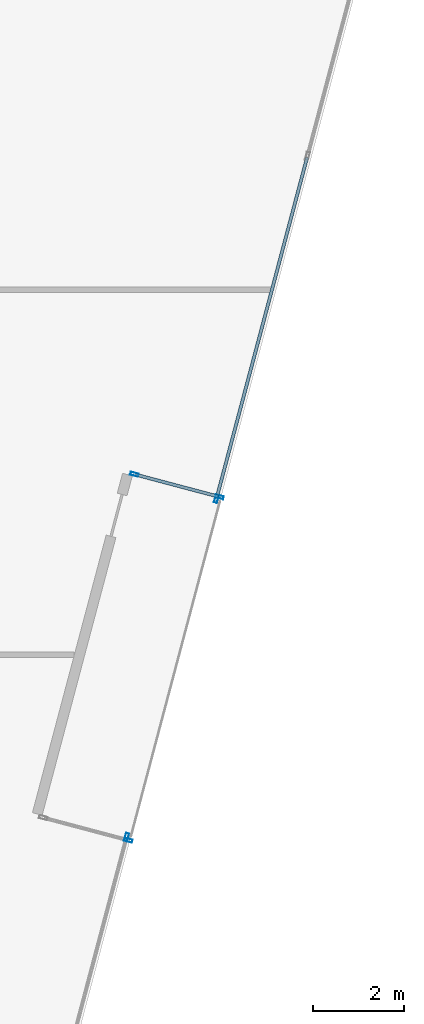
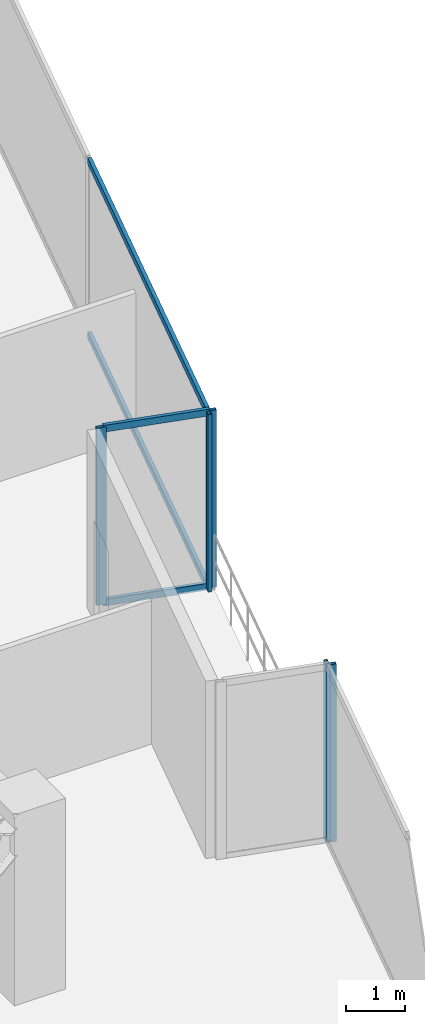
# One storey, part 13 of 27: 9 members, 4 elements without a shape of their own.
"""IFC4 building model written with IfcOpenShell, lengths in metres."""

from ifc_helpers import new_model, si_unit, direction, frame, origin, origin_2d, place, context, subcontext, project, spatial, hollow_rectangle, extrude, source, transform, mapped, material, material_profile, profile_set, type_object, type_shapes, element, aggregate, save


model = new_model("IFC4")

# Units and contexts
model_context = context("Model", 3, precision=1e-05, world=origin(), true_north=direction((0.0, 1.0)))
body_context = subcontext(model_context, "Body", "Model", "MODEL_VIEW")
ifc_project = project(units=[si_unit("LENGTHUNIT", "METRE"), si_unit("AREAUNIT", "SQUARE_METRE"), si_unit("VOLUMEUNIT", "CUBIC_METRE"), si_unit("PLANEANGLEUNIT", "RADIAN"), si_unit("MASSUNIT", "GRAM", prefix="KILO")], contexts=[model_context])

# Site, building, storey
site_placement = place(None, origin())
site = spatial("IfcSite", under=ifc_project, at=site_placement, CompositionType="ELEMENT")
building_placement = place(site_placement, origin())
building = spatial("IfcBuilding", under=site, at=building_placement, Name="Krantzveldt Concourse Tower", CompositionType="ELEMENT")
storey_placement = place(building_placement, frame((0.0, 0.0, 105.85009765625)))
storey = spatial("IfcBuildingStorey", under=building, at=storey_placement, Name="L25", CompositionType="ELEMENT", Elevation=105.85009765625)

# Curtain wall, member
ifc_material = material(Name="Anodised aluminium 6063-T6", Category="aluminium")
curtain_wall_type_1 = type_object("IfcCurtainWallType", Name="CW2", PredefinedType="USERDEFINED", material=ifc_material)
curtain_wall_1_placement = place(storey_placement, origin())
curtain_wall_1 = element("IfcCurtainWall", 1, at=curtain_wall_1_placement, inside=storey, type_object=curtain_wall_type_1, Name="CW-L25-F07", ObjectType="UNITISED CURTAIN WALL", PredefinedType="USERDEFINED")
ifc_material_profile_1 = material_profile(ifc_material, hollow_rectangle(XDim=0.070068359375, YDim=0.179931640625, WallThickness=0.0048828125, at=origin_2d()), Name="Anodised aluminium 6063-T6", Category="aluminium")
ifc_profile_set_1 = profile_set([ifc_material_profile_1], Name="Anodised aluminium 6063-T6 - ALU-MULL 180x70x5")
member_type_1 = type_object("IfcMemberType", Name="CW-MUL-180", PredefinedType="MULLION", material=ifc_profile_set_1)
shared_shape_1 = source(origin(), body_context, "Body", "SweptSolid", [
    extrude(hollow_rectangle(XDim=0.070068359375, YDim=0.179931640625, WallThickness=0.0048828125, at=origin_2d()), origin(), (0.0, 0.0, 1.0), 3.669921875),
])
type_shapes(member_type_1, [shared_shape_1])
member_1_placement = place(storey_placement, frame((57.54443359375, 17.009521484375, 0.0), z_axis=(0.0, 0.0, 1.0), x_axis=(-0.966488210944, 0.256711001141, 0.0)))
member_1 = element("IfcMember", 2, at=member_1_placement, type_object=member_type_1, Name="CW-Z12 mullion 3", PredefinedType="MULLION", context=body_context, shape_type="MappedRepresentation", body=[
    mapped(shared_shape_1, transform((0.0, 0.0, 0.0), x_axis=(1.0, 0.0, 0.0), y_axis=(0.0, 1.0, 0.0), z_axis=(0.0, 0.0, 1.0), scale=1.0)),
])
aggregate(curtain_wall_1, [member_1])

curtain_wall_type_2 = type_object("IfcCurtainWallType", Name="CW6", PredefinedType="USERDEFINED", material=ifc_material)
curtain_wall_2_placement = place(storey_placement, origin())
curtain_wall_2 = element("IfcCurtainWall", 3, at=curtain_wall_2_placement, inside=storey, type_object=curtain_wall_type_2, Name="CW-L25-TR08", ObjectType="UNITISED CURTAIN WALL", PredefinedType="USERDEFINED")
member_2_placement = place(storey_placement, frame((57.58349609375, 16.9423828125, 0.0), z_axis=(0.0, 0.0, 1.0), x_axis=(-0.256714292587, -0.96648733669, 0.0)))
member_2 = element("IfcMember", 4, at=member_2_placement, type_object=member_type_1, Name="CW-TERR mullion 1", PredefinedType="MULLION", context=body_context, shape_type="MappedRepresentation", body=[
    mapped(shared_shape_1, transform((0.0, 0.0, 0.0), x_axis=(1.0, 0.0, 0.0), y_axis=(0.0, 1.0, 0.0), z_axis=(0.0, 0.0, 1.0), scale=1.0)),
])
aggregate(curtain_wall_2, [member_2])

# Curtain wall, members
curtain_wall_3_placement = place(storey_placement, origin())
curtain_wall_3 = element("IfcCurtainWall", 5, at=curtain_wall_3_placement, inside=storey, type_object=curtain_wall_type_2, Name="CW-L25-TR10", ObjectType="UNITISED CURTAIN WALL", PredefinedType="USERDEFINED")
member_3_placement = place(storey_placement, frame((57.71533203125, 24.95703125, 0.0), z_axis=(0.0, 0.0, 1.0), x_axis=(0.256709622099, 0.966488577233, 0.0)))
member_3 = element("IfcMember", 6, at=member_3_placement, type_object=member_type_1, Name="CW-TERR mullion 1", PredefinedType="MULLION", context=body_context, shape_type="MappedRepresentation", body=[
    mapped(shared_shape_1, transform((0.0, 0.0, 0.0), x_axis=(1.0, 0.0, 0.0), y_axis=(0.0, 1.0, 0.0), z_axis=(0.0, 0.0, 1.0), scale=1.0)),
])
member_4_placement = place(storey_placement, frame((59.58056640625, 24.461669921875, 0.0), z_axis=(0.0, 0.0, 1.0), x_axis=(0.256709622099, 0.966488577233, 0.0)))
member_4 = element("IfcMember", 7, at=member_4_placement, type_object=member_type_1, Name="CW-TERR mullion 2", PredefinedType="MULLION", context=body_context, shape_type="MappedRepresentation", body=[
    mapped(shared_shape_1, transform((0.0, 0.0, 0.0), x_axis=(1.0, 0.0, 0.0), y_axis=(0.0, 1.0, 0.0), z_axis=(0.0, 0.0, 1.0), scale=1.0)),
])

# Curtain wall, member
curtain_wall_4_placement = place(storey_placement, origin())
curtain_wall_4 = element("IfcCurtainWall", 8, at=curtain_wall_4_placement, inside=storey, type_object=curtain_wall_type_1, Name="CW-L25-F11", ObjectType="UNITISED CURTAIN WALL", PredefinedType="USERDEFINED")
member_5_placement = place(storey_placement, frame((59.513427734375, 24.422607421875, 0.0), z_axis=(0.0, 0.0, 1.0), x_axis=(-0.966488210944, 0.256711001141, 0.0)))
member_5 = element("IfcMember", 9, at=member_5_placement, type_object=member_type_1, Name="CW-Z12 mullion 1", PredefinedType="MULLION", context=body_context, shape_type="MappedRepresentation", body=[
    mapped(shared_shape_1, transform((0.0, 0.0, 0.0), x_axis=(1.0, 0.0, 0.0), y_axis=(0.0, 1.0, 0.0), z_axis=(0.0, 0.0, 1.0), scale=1.0)),
])

# Member
ifc_material_profile_2 = material_profile(ifc_material, hollow_rectangle(XDim=0.070068359375, YDim=0.139892578125, WallThickness=0.0048828125, at=origin_2d()), Name="Anodised aluminium 6063-T6", Category="aluminium")
ifc_profile_set_2 = profile_set([ifc_material_profile_2], Name="Anodised aluminium 6063-T6 - ALU-TRAN 140x70x5")
member_type_2 = type_object("IfcMemberType", Name="CW-TRN-150", PredefinedType="USERDEFINED", material=ifc_profile_set_2)
shared_shape_2 = source(origin(), body_context, "Body", "SweptSolid", [
    extrude(hollow_rectangle(XDim=0.070068359375, YDim=0.139892578125, WallThickness=0.0048828125, at=origin_2d()), origin(), (0.0, 0.0, 1.0), 1.860107421875),
])
member_6_placement = place(storey_placement, frame((57.7490234375, 24.947998046875, 0.034912109375), z_axis=(0.966487162164, -0.256714949646, 0.0), x_axis=(0.256714949646, 0.966487162164, 0.0)))
member_6 = element("IfcMember", 10, at=member_6_placement, type_object=member_type_2, Name="CW-TERR transom 1.1", ObjectType="TRANSOM", PredefinedType="USERDEFINED", context=body_context, shape_type="MappedRepresentation", body=[
    mapped(shared_shape_2, transform((0.0, 0.0, 0.0), x_axis=(1.0, 0.0, 0.0), y_axis=(0.0, 1.0, 0.0), z_axis=(0.0, 0.0, 1.0), scale=1.0)),
])

member_7_placement = place(storey_placement, frame((57.7490234375, 24.947998046875, 3.635009765625), z_axis=(0.966487162164, -0.256714949646, 0.0), x_axis=(0.256714949646, 0.966487162164, 0.0)))
member_7 = element("IfcMember", 11, at=member_7_placement, type_object=member_type_2, Name="CW-TERR transom 1.2", ObjectType="TRANSOM", PredefinedType="USERDEFINED", context=body_context, shape_type="MappedRepresentation", body=[
    mapped(shared_shape_2, transform((0.0, 0.0, 0.0), x_axis=(1.0, 0.0, 0.0), y_axis=(0.0, 1.0, 0.0), z_axis=(0.0, 0.0, 1.0), scale=1.0)),
])

aggregate(curtain_wall_3, [member_3, member_4, member_6, member_7])

shared_shape_3 = source(origin(), body_context, "Body", "SweptSolid", [
    extrude(hollow_rectangle(XDim=0.070068359375, YDim=0.139892578125, WallThickness=0.0048828125, at=origin_2d()), origin(), (0.0, 0.0, 1.0), 7.695068359375),
])
type_shapes(member_type_2, [shared_shape_2, shared_shape_3])
member_8_placement = place(storey_placement, frame((59.522216796875, 24.456298828125, 0.034912109375), z_axis=(0.256730483755, 0.966483035915, 0.0), x_axis=(-0.966483035915, 0.256730483755, 0.0)))
member_8 = element("IfcMember", 12, at=member_8_placement, type_object=member_type_2, Name="CW-Z12 transom 1.1", ObjectType="TRANSOM", PredefinedType="USERDEFINED", context=body_context, shape_type="MappedRepresentation", body=[
    mapped(shared_shape_3, transform((0.0, 0.0, 0.0), x_axis=(1.0, 0.0, 0.0), y_axis=(0.0, 1.0, 0.0), z_axis=(0.0, 0.0, 1.0), scale=1.0)),
])

member_9_placement = place(storey_placement, frame((59.522216796875, 24.456298828125, 3.635009765625), z_axis=(0.256730483755, 0.966483035915, 0.0), x_axis=(-0.966483035915, 0.256730483755, 0.0)))
member_9 = element("IfcMember", 13, at=member_9_placement, type_object=member_type_2, Name="CW-Z12 transom 1.2", ObjectType="TRANSOM", PredefinedType="USERDEFINED", context=body_context, shape_type="MappedRepresentation", body=[
    mapped(shared_shape_3, transform((0.0, 0.0, 0.0), x_axis=(1.0, 0.0, 0.0), y_axis=(0.0, 1.0, 0.0), z_axis=(0.0, 0.0, 1.0), scale=1.0)),
])

aggregate(curtain_wall_4, [member_5, member_8, member_9])

save(model, "model.ifc")
